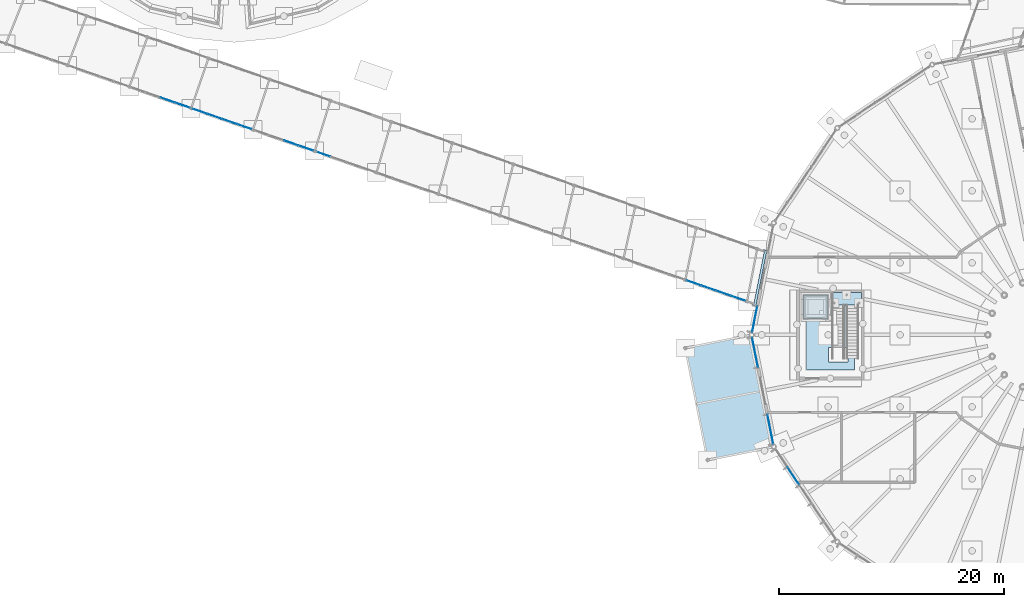
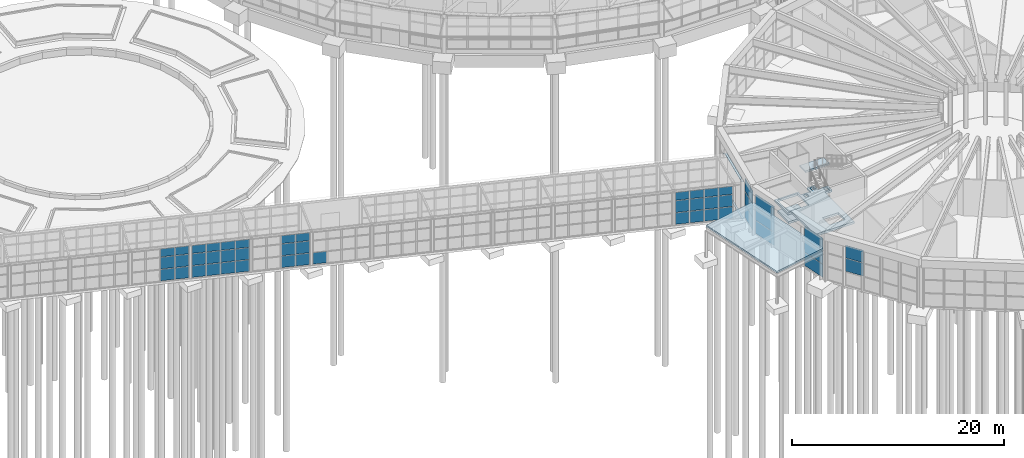
# One storey, part 123 of 226: 50 plates, 4 slabs, 10 elements without a shape of their own.
"""IFC4 building model written with IfcOpenShell, lengths in metres."""

import ifcopenshell
import ifcopenshell.guid

model = None  # the IFC model being written
_history = None  # IfcOwnerHistory: only IFC2X3 demands one
_inside = {}  # id of a spatial element -> (the spatial element, [elements in it])
_under = {}  # id of a project, library or spatial element -> (it, [spatial elements below it])
_declared = {}  # id of a project -> (the project, [libraries it declares])
_typed = {}  # id of a type object -> (the type object, [elements of that type])
_made_of = {}  # id of a material, layer set ... -> (it, [elements and type objects made of it])


def new_model(schema):
    """Start an empty IFC model of exactly this schema.

    Asked for "IFC4X3", IfcOpenShell would pick the latest addendum, in which some entities
    have other attributes; the version numbers below select the first issue.
    IFC2X3 requires an IfcOwnerHistory on every rooted entity: one is made here for all.
    """
    global model, _history
    if schema == "IFC4X3":
        model = ifcopenshell.file(schema_version=(4, 3, 0, 0))
    else:
        model = ifcopenshell.file(schema=schema)
    _inside.clear()
    _under.clear()
    _declared.clear()
    _typed.clear()
    _made_of.clear()
    _history = None
    if model.schema == "IFC2X3":
        org = make("IfcOrganization", Name="unknown")
        user = make(
            "IfcPersonAndOrganization",
            ThePerson=make("IfcPerson", FamilyName="unknown"),
            TheOrganization=org,
        )
        app = make(
            "IfcApplication",
            ApplicationDeveloper=org,
            Version="unknown",
            ApplicationFullName="unknown",
            ApplicationIdentifier="unknown",
        )
        _history = make(
            "IfcOwnerHistory",
            OwningUser=user,
            OwningApplication=app,
            ChangeAction="ADDED",
            CreationDate=0,
        )
    return model


def make(cls, **values):
    """One entity of the class cls with the attributes given. An attribute that is None is left unset."""
    return model.create_entity(
        cls, **{name: value for name, value in values.items() if value is not None}
    )


def rooted(cls, **values):
    """An entity with a GlobalId (a new one), such as an element, a storey or a relation."""
    return make(cls, GlobalId=ifcopenshell.guid.new(), OwnerHistory=_history, **values)


def si_unit(unit_type, name, prefix=None):
    """IfcSIUnit, for example si_unit("LENGTHUNIT", "METRE", prefix="MILLI")."""
    return make("IfcSIUnit", UnitType=unit_type, Prefix=prefix, Name=name)


def assignment(units):
    """IfcUnitAssignment: the units of a project."""
    return None if units is None else make("IfcUnitAssignment", Units=units)


def point(xyz):
    """IfcCartesianPoint."""
    return None if xyz is None else make("IfcCartesianPoint", Coordinates=xyz)


def direction(xyz):
    """IfcDirection."""
    return None if xyz is None else make("IfcDirection", DirectionRatios=xyz)


def frame(location, z_axis=None, x_axis=None):
    """IfcAxis2Placement3D, a coordinate frame: its origin and axes. An axis left out is left unset."""
    return make(
        "IfcAxis2Placement3D",
        Location=point(location),
        Axis=direction(z_axis),
        RefDirection=direction(x_axis),
    )


def frame_2d(location, x_axis=None):
    """IfcAxis2Placement2D, a coordinate frame in the plane: its origin and x axis."""
    return make(
        "IfcAxis2Placement2D", Location=point(location), RefDirection=direction(x_axis)
    )


def origin():
    """The frame at (0, 0, 0) with its axes left unset."""
    return frame((0.0, 0.0, 0.0))


def origin_2d():
    """The frame at (0, 0) in the plane with its x axis left unset."""
    return frame_2d((0.0, 0.0))


def place(relative_to, where):
    """IfcLocalPlacement: puts the frame where relative to a parent placement (None: the world)."""
    return make(
        "IfcLocalPlacement", PlacementRelTo=relative_to, RelativePlacement=where
    )


def context(
    kind, dimensions, precision=None, world=None, true_north=None, identifier=None
):
    """IfcGeometricRepresentationContext, for example the 3D "Model" context."""
    return make(
        "IfcGeometricRepresentationContext",
        ContextIdentifier=identifier,
        ContextType=kind,
        CoordinateSpaceDimension=dimensions,
        Precision=precision,
        WorldCoordinateSystem=world,
        TrueNorth=true_north,
    )


def subcontext(parent, identifier, kind, view, scale=None):
    """IfcGeometricRepresentationSubContext, for example "Body" below "Model"."""
    return make(
        "IfcGeometricRepresentationSubContext",
        ContextIdentifier=identifier,
        ContextType=kind,
        ParentContext=parent,
        TargetScale=scale,
        TargetView=view,
    )


def project(units=None, contexts=None):
    """IfcProject with its units and contexts."""
    return rooted(
        "IfcProject",
        Name="project",
        RepresentationContexts=contexts,
        UnitsInContext=assignment(units),
    )


def spatial(cls, under=None, at=None, **own):
    """A site, building, storey or space (cls), placed at a placement, below another one or the project."""
    s = rooted(cls, ObjectPlacement=at, **own)
    if under is not None:
        _under.setdefault(under.id(), (under, []))[1].append(s)
    return s


def polyline(points):
    """IfcPolyline through the points."""
    return make("IfcPolyline", Points=[point(p) for p in points])


def profile(cls, at=None, kind="AREA", **sizes):
    """A parametric profile (cls). Its sizes go by their IFC names, for example OverallWidth=200.0."""
    return make(cls, ProfileType=kind, Position=at, **sizes)


def rectangle(**sizes):
    """IfcRectangleProfileDef."""
    return profile("IfcRectangleProfileDef", **sizes)


def outline(outer, holes=None, kind="AREA"):
    """IfcArbitraryClosedProfileDef: a profile drawn as a closed curve; with holes, ...WithVoids."""
    if holes is None:
        return make("IfcArbitraryClosedProfileDef", ProfileType=kind, OuterCurve=outer)
    return make(
        "IfcArbitraryProfileDefWithVoids",
        ProfileType=kind,
        OuterCurve=outer,
        InnerCurves=holes,
    )


def extrude(swept, where, along, depth):
    """IfcExtrudedAreaSolid: the profile swept, set in the frame where, extruded along a direction by depth."""
    return make(
        "IfcExtrudedAreaSolid",
        SweptArea=swept,
        Position=where,
        ExtrudedDirection=direction(along),
        Depth=depth,
    )


def shape(context_of_items, identifier, shape_type, items):
    """IfcShapeRepresentation: the items that make up one representation, for example the "Body"."""
    return make(
        "IfcShapeRepresentation",
        ContextOfItems=context_of_items,
        RepresentationIdentifier=identifier,
        RepresentationType=shape_type,
        Items=items,
    )


def material(Name=None, Category=None):
    """IfcMaterial."""
    return make("IfcMaterial", Name=Name, Category=Category)


def layer(
    of_material, thickness, ventilated=None, Name=None, Category=None, Priority=None
):
    """IfcMaterialLayer: one layer of a wall or slab, of a material (None: an air gap)."""
    return make(
        "IfcMaterialLayer",
        Material=of_material,
        LayerThickness=thickness,
        IsVentilated=ventilated,
        Name=Name,
        Category=Category,
        Priority=Priority,
    )


def layer_set(layers, Name=None):
    """IfcMaterialLayerSet."""
    return make("IfcMaterialLayerSet", MaterialLayers=layers, LayerSetName=Name)


def made_of(thing, what):
    """Note that an element or type object is made of a material, layer set ...; save() writes the relation."""
    if what is not None:
        _made_of.setdefault(what.id(), (what, []))[1].append(thing)
    return thing


def type_object(cls, material=None, **own):
    """A type object (cls), such as IfcWallType, which elements share."""
    return made_of(rooted(cls, **own), material)


def element(
    cls,
    number,
    at=None,
    inside=None,
    cuts=None,
    type_object=None,
    material=None,
    context=None,
    identifier="Body",
    shape_type=None,
    held_by="IfcProductDefinitionShape",
    body=None,
    shapes=None,
    **own,
):
    """One element of the class cls, such as IfcWall. Its Tag is "e" and its number.

    at: its placement. inside: the storey or other place that contains it. cuts: it is an
    opening in that element (IfcRelVoidsElement). A single representation is given by context,
    identifier, shape_type and body (its items); several are given by shapes. held_by: the class
    of the entity that holds the representations. save() writes the other relations.
    """
    e = rooted(cls, Tag="e%d" % number, ObjectPlacement=at, **own)
    if body is not None:
        shapes = [shape(context, identifier, shape_type, body)]
    if shapes is not None:
        e.Representation = make(held_by, Representations=shapes)
    if inside is not None:
        _inside.setdefault(inside.id(), (inside, []))[1].append(e)
    if cuts is not None:
        rooted(
            "IfcRelVoidsElement", RelatingBuildingElement=cuts, RelatedOpeningElement=e
        )
    if type_object is not None:
        _typed.setdefault(type_object.id(), (type_object, []))[1].append(e)
    return made_of(e, material)


def aggregate(whole, parts):
    """IfcRelAggregates: a whole, such as a stair, and the parts it consists of."""
    return rooted("IfcRelAggregates", RelatingObject=whole, RelatedObjects=parts)


def save(model, path):
    """Write the relations noted so far, then the file.

    IfcRelAggregates (storeys below a building ...), IfcRelContainedInSpatialStructure (elements
    in a storey), IfcRelDefinesByType, IfcRelAssociatesMaterial and IfcRelDeclares: one each for
    every whole, place, type object, material and project.
    """
    for whole, parts in _under.values():
        aggregate(whole, parts)
    for where, things in _inside.values():
        rooted(
            "IfcRelContainedInSpatialStructure",
            RelatedElements=things,
            RelatingStructure=where,
        )
    for kind, things in _typed.values():
        rooted("IfcRelDefinesByType", RelatedObjects=things, RelatingType=kind)
    for what, things in _made_of.values():
        rooted("IfcRelAssociatesMaterial", RelatedObjects=things, RelatingMaterial=what)
    for by, libraries in _declared.values():
        rooted("IfcRelDeclares", RelatingContext=by, RelatedDefinitions=libraries)
    model.write(path)


model = new_model("IFC4")

# Units and contexts
model_context = context("Model", 3, precision=1e-05, world=origin(), true_north=direction((0.0, 1.0)))
body_context = subcontext(model_context, "Body", "Model", "MODEL_VIEW")
ifc_project = project(units=[si_unit("LENGTHUNIT", "METRE"), si_unit("AREAUNIT", "SQUARE_METRE"), si_unit("VOLUMEUNIT", "CUBIC_METRE"), si_unit("PLANEANGLEUNIT", "RADIAN"), si_unit("MASSUNIT", "GRAM", prefix="KILO")], contexts=[model_context])

# Site, building, storey
site_placement = place(None, origin())
site = spatial("IfcSite", under=ifc_project, at=site_placement, CompositionType="ELEMENT")
building_placement = place(site_placement, origin())
building = spatial("IfcBuilding", under=site, at=building_placement, Name="Ceibo Conservatory and Research Tower", CompositionType="ELEMENT")
storey_placement = place(building_placement, origin())
storey = spatial("IfcBuildingStorey", under=building, at=storey_placement, Name="L00", CompositionType="ELEMENT", Elevation=0.0)

# Curtain wall, plates
ifc_material_1 = material(Name="Aluminium and glass", Category="aluminium")
curtain_wall_type_1 = type_object("IfcCurtainWallType", Name="Gallery curtain wall", PredefinedType="NOTDEFINED", material=ifc_material_1)
curtain_wall_1_placement = place(storey_placement, origin())
curtain_wall_1 = element("IfcCurtainWall", 1, at=curtain_wall_1_placement, inside=storey, type_object=curtain_wall_type_1, Name="Gallery curtain wall AUD-VC-CWS05", PredefinedType="NOTDEFINED")
ifc_material_2 = material(Name="Laminated glass", Category="glass")
ifc_layer_1 = layer(ifc_material_2, 0.028076171875)
ifc_layer_set_1 = layer_set([ifc_layer_1], Name="Laminated glass")
plate_type_1 = type_object("IfcPlateType", Name="Gallery glass 28", PredefinedType="CURTAIN_PANEL", material=ifc_layer_set_1)
plate_1_placement = place(storey_placement, frame((90.105712890625, 56.866455078125, 0.06005859375), z_axis=(0.0, 0.0, 1.0), x_axis=(0.944579236191, -0.328283515513, 0.0)))
plate_1 = element("IfcPlate", 2, at=plate_1_placement, type_object=plate_type_1, Name="AUD-VC-CWS05 panel 3.1", PredefinedType="CURTAIN_PANEL", context=body_context, shape_type="SweptSolid", body=[
    extrude(rectangle(XDim=1.342529296875, YDim=0.028076171875, at=origin_2d()), origin(), (0.0, 0.0, 1.0), 1.31005859375),
])
plate_2_placement = place(storey_placement, frame((90.105712890625, 56.866455078125, 1.43017578125), z_axis=(0.0, 0.0, 1.0), x_axis=(0.944579236191, -0.328283515513, 0.0)))
plate_2 = element("IfcPlate", 3, at=plate_2_placement, type_object=plate_type_1, Name="AUD-VC-CWS05 panel 3.2", PredefinedType="CURTAIN_PANEL", context=body_context, shape_type="SweptSolid", body=[
    extrude(rectangle(XDim=1.342529296875, YDim=0.028076171875, at=origin_2d()), origin(), (0.0, 0.0, 1.0), 1.340087890625),
])
plate_3_placement = place(storey_placement, frame((90.105712890625, 56.866455078125, 2.830078125), z_axis=(0.0, 0.0, 1.0), x_axis=(0.944579236191, -0.328283515513, 0.0)))
plate_3 = element("IfcPlate", 4, at=plate_3_placement, type_object=plate_type_1, Name="AUD-VC-CWS05 panel 3.3", PredefinedType="CURTAIN_PANEL", context=body_context, shape_type="SweptSolid", body=[
    extrude(rectangle(XDim=1.342529296875, YDim=0.028076171875, at=origin_2d()), origin(), (0.0, 0.0, 1.0), 0.909912109375),
])
plate_4_placement = place(storey_placement, frame((91.41650390625, 56.410888671875, 0.06005859375), z_axis=(0.0, 0.0, 1.0), x_axis=(0.944579236191, -0.328283515513, 0.0)))
plate_4 = element("IfcPlate", 5, at=plate_4_placement, type_object=plate_type_1, Name="AUD-VC-CWS05 panel 4.1", PredefinedType="CURTAIN_PANEL", context=body_context, shape_type="SweptSolid", body=[
    extrude(rectangle(XDim=1.3125, YDim=0.028076171875, at=origin_2d()), origin(), (0.0, 0.0, 1.0), 1.31005859375),
])
plate_5_placement = place(storey_placement, frame((91.41650390625, 56.410888671875, 1.43017578125), z_axis=(0.0, 0.0, 1.0), x_axis=(0.944579236191, -0.328283515513, 0.0)))
plate_5 = element("IfcPlate", 6, at=plate_5_placement, type_object=plate_type_1, Name="AUD-VC-CWS05 panel 4.2", PredefinedType="CURTAIN_PANEL", context=body_context, shape_type="SweptSolid", body=[
    extrude(rectangle(XDim=1.3125, YDim=0.028076171875, at=origin_2d()), origin(), (0.0, 0.0, 1.0), 1.340087890625),
])
plate_6_placement = place(storey_placement, frame((91.41650390625, 56.410888671875, 2.830078125), z_axis=(0.0, 0.0, 1.0), x_axis=(0.944579236191, -0.328283515513, 0.0)))
plate_6 = element("IfcPlate", 7, at=plate_6_placement, type_object=plate_type_1, Name="AUD-VC-CWS05 panel 4.3", PredefinedType="CURTAIN_PANEL", context=body_context, shape_type="SweptSolid", body=[
    extrude(rectangle(XDim=1.3125, YDim=0.028076171875, at=origin_2d()), origin(), (0.0, 0.0, 1.0), 0.909912109375),
])
aggregate(curtain_wall_1, [plate_1, plate_2, plate_3, plate_4, plate_5, plate_6])

curtain_wall_2_placement = place(storey_placement, origin())
curtain_wall_2 = element("IfcCurtainWall", 8, at=curtain_wall_2_placement, inside=storey, type_object=curtain_wall_type_1, Name="Gallery curtain wall AUD-VC-CWS06", PredefinedType="NOTDEFINED")
plate_7_placement = place(storey_placement, frame((92.95849609375, 55.875, 0.06005859375), z_axis=(0.0, 0.0, 1.0), x_axis=(0.944579236191, -0.328283515513, 0.0)))
plate_7 = element("IfcPlate", 9, at=plate_7_placement, type_object=plate_type_1, Name="AUD-VC-CWS06 panel 1.1", PredefinedType="CURTAIN_PANEL", context=body_context, shape_type="SweptSolid", body=[
    extrude(rectangle(XDim=1.3125, YDim=0.028076171875, at=origin_2d()), origin(), (0.0, 0.0, 1.0), 1.31005859375),
])
plate_8_placement = place(storey_placement, frame((92.95849609375, 55.875, 1.43017578125), z_axis=(0.0, 0.0, 1.0), x_axis=(0.944579236191, -0.328283515513, 0.0)))
plate_8 = element("IfcPlate", 10, at=plate_8_placement, type_object=plate_type_1, Name="AUD-VC-CWS06 panel 1.2", PredefinedType="CURTAIN_PANEL", context=body_context, shape_type="SweptSolid", body=[
    extrude(rectangle(XDim=1.3125, YDim=0.028076171875, at=origin_2d()), origin(), (0.0, 0.0, 1.0), 1.340087890625),
])
plate_9_placement = place(storey_placement, frame((92.95849609375, 55.875, 2.830078125), z_axis=(0.0, 0.0, 1.0), x_axis=(0.944579236191, -0.328283515513, 0.0)))
plate_9 = element("IfcPlate", 11, at=plate_9_placement, type_object=plate_type_1, Name="AUD-VC-CWS06 panel 1.3", PredefinedType="CURTAIN_PANEL", context=body_context, shape_type="SweptSolid", body=[
    extrude(rectangle(XDim=1.3125, YDim=0.028076171875, at=origin_2d()), origin(), (0.0, 0.0, 1.0), 0.909912109375),
])
plate_10_placement = place(storey_placement, frame((94.269287109375, 55.41943359375, 0.06005859375), z_axis=(0.0, 0.0, 1.0), x_axis=(0.944579236191, -0.328283515513, 0.0)))
plate_10 = element("IfcPlate", 12, at=plate_10_placement, type_object=plate_type_1, Name="AUD-VC-CWS06 panel 2.1", PredefinedType="CURTAIN_PANEL", context=body_context, shape_type="SweptSolid", body=[
    extrude(rectangle(XDim=1.342529296875, YDim=0.028076171875, at=origin_2d()), origin(), (0.0, 0.0, 1.0), 1.31005859375),
])
plate_11_placement = place(storey_placement, frame((94.269287109375, 55.41943359375, 1.43017578125), z_axis=(0.0, 0.0, 1.0), x_axis=(0.944579236191, -0.328283515513, 0.0)))
plate_11 = element("IfcPlate", 13, at=plate_11_placement, type_object=plate_type_1, Name="AUD-VC-CWS06 panel 2.2", PredefinedType="CURTAIN_PANEL", context=body_context, shape_type="SweptSolid", body=[
    extrude(rectangle(XDim=1.342529296875, YDim=0.028076171875, at=origin_2d()), origin(), (0.0, 0.0, 1.0), 1.340087890625),
])
plate_12_placement = place(storey_placement, frame((94.269287109375, 55.41943359375, 2.830078125), z_axis=(0.0, 0.0, 1.0), x_axis=(0.944579236191, -0.328283515513, 0.0)))
plate_12 = element("IfcPlate", 14, at=plate_12_placement, type_object=plate_type_1, Name="AUD-VC-CWS06 panel 2.3", PredefinedType="CURTAIN_PANEL", context=body_context, shape_type="SweptSolid", body=[
    extrude(rectangle(XDim=1.342529296875, YDim=0.028076171875, at=origin_2d()), origin(), (0.0, 0.0, 1.0), 0.909912109375),
])
plate_13_placement = place(storey_placement, frame((95.593994140625, 54.958984375, 0.06005859375), z_axis=(0.0, 0.0, 1.0), x_axis=(0.944579236191, -0.328283515513, 0.0)))
plate_13 = element("IfcPlate", 15, at=plate_13_placement, type_object=plate_type_1, Name="AUD-VC-CWS06 panel 3.1", PredefinedType="CURTAIN_PANEL", context=body_context, shape_type="SweptSolid", body=[
    extrude(rectangle(XDim=1.342529296875, YDim=0.028076171875, at=origin_2d()), origin(), (0.0, 0.0, 1.0), 1.31005859375),
])
plate_14_placement = place(storey_placement, frame((95.593994140625, 54.958984375, 1.43017578125), z_axis=(0.0, 0.0, 1.0), x_axis=(0.944579236191, -0.328283515513, 0.0)))
plate_14 = element("IfcPlate", 16, at=plate_14_placement, type_object=plate_type_1, Name="AUD-VC-CWS06 panel 3.2", PredefinedType="CURTAIN_PANEL", context=body_context, shape_type="SweptSolid", body=[
    extrude(rectangle(XDim=1.342529296875, YDim=0.028076171875, at=origin_2d()), origin(), (0.0, 0.0, 1.0), 1.340087890625),
])
plate_15_placement = place(storey_placement, frame((95.593994140625, 54.958984375, 2.830078125), z_axis=(0.0, 0.0, 1.0), x_axis=(0.944579236191, -0.328283515513, 0.0)))
plate_15 = element("IfcPlate", 17, at=plate_15_placement, type_object=plate_type_1, Name="AUD-VC-CWS06 panel 3.3", PredefinedType="CURTAIN_PANEL", context=body_context, shape_type="SweptSolid", body=[
    extrude(rectangle(XDim=1.342529296875, YDim=0.028076171875, at=origin_2d()), origin(), (0.0, 0.0, 1.0), 0.909912109375),
])
plate_16_placement = place(storey_placement, frame((96.90478515625, 54.503662109375, 0.06005859375), z_axis=(0.0, 0.0, 1.0), x_axis=(0.944579236191, -0.328283515513, 0.0)))
plate_16 = element("IfcPlate", 18, at=plate_16_placement, type_object=plate_type_1, Name="AUD-VC-CWS06 panel 4.1", PredefinedType="CURTAIN_PANEL", context=body_context, shape_type="SweptSolid", body=[
    extrude(rectangle(XDim=1.3125, YDim=0.028076171875, at=origin_2d()), origin(), (0.0, 0.0, 1.0), 1.31005859375),
])
plate_17_placement = place(storey_placement, frame((96.90478515625, 54.503662109375, 1.43017578125), z_axis=(0.0, 0.0, 1.0), x_axis=(0.944579236191, -0.328283515513, 0.0)))
plate_17 = element("IfcPlate", 19, at=plate_17_placement, type_object=plate_type_1, Name="AUD-VC-CWS06 panel 4.2", PredefinedType="CURTAIN_PANEL", context=body_context, shape_type="SweptSolid", body=[
    extrude(rectangle(XDim=1.3125, YDim=0.028076171875, at=origin_2d()), origin(), (0.0, 0.0, 1.0), 1.340087890625),
])
plate_18_placement = place(storey_placement, frame((96.90478515625, 54.503662109375, 2.830078125), z_axis=(0.0, 0.0, 1.0), x_axis=(0.944579236191, -0.328283515513, 0.0)))
plate_18 = element("IfcPlate", 20, at=plate_18_placement, type_object=plate_type_1, Name="AUD-VC-CWS06 panel 4.3", PredefinedType="CURTAIN_PANEL", context=body_context, shape_type="SweptSolid", body=[
    extrude(rectangle(XDim=1.3125, YDim=0.028076171875, at=origin_2d()), origin(), (0.0, 0.0, 1.0), 0.909912109375),
])
aggregate(curtain_wall_2, [plate_7, plate_8, plate_9, plate_10, plate_11, plate_12, plate_13, plate_14, plate_15, plate_16, plate_17, plate_18])

curtain_wall_3_placement = place(storey_placement, origin())
curtain_wall_3 = element("IfcCurtainWall", 21, at=curtain_wall_3_placement, inside=storey, type_object=curtain_wall_type_1, Name="Gallery curtain wall AUD-VC-CWS07", PredefinedType="NOTDEFINED")
plate_19_placement = place(storey_placement, frame((101.082275390625, 53.0517578125, 0.06005859375), z_axis=(0.0, 0.0, 1.0), x_axis=(0.944579236191, -0.328283515513, 0.0)))
plate_19 = element("IfcPlate", 22, at=plate_19_placement, type_object=plate_type_1, Name="AUD-VC-CWS07 panel 3.1", PredefinedType="CURTAIN_PANEL", context=body_context, shape_type="SweptSolid", body=[
    extrude(rectangle(XDim=1.342529296875, YDim=0.028076171875, at=origin_2d()), origin(), (0.0, 0.0, 1.0), 1.31005859375),
])
plate_20_placement = place(storey_placement, frame((101.082275390625, 53.0517578125, 1.43017578125), z_axis=(0.0, 0.0, 1.0), x_axis=(0.944579236191, -0.328283515513, 0.0)))
plate_20 = element("IfcPlate", 23, at=plate_20_placement, type_object=plate_type_1, Name="AUD-VC-CWS07 panel 3.2", PredefinedType="CURTAIN_PANEL", context=body_context, shape_type="SweptSolid", body=[
    extrude(rectangle(XDim=1.342529296875, YDim=0.028076171875, at=origin_2d()), origin(), (0.0, 0.0, 1.0), 1.340087890625),
])
plate_21_placement = place(storey_placement, frame((101.082275390625, 53.0517578125, 2.830078125), z_axis=(0.0, 0.0, 1.0), x_axis=(0.944579236191, -0.328283515513, 0.0)))
plate_21 = element("IfcPlate", 24, at=plate_21_placement, type_object=plate_type_1, Name="AUD-VC-CWS07 panel 3.3", PredefinedType="CURTAIN_PANEL", context=body_context, shape_type="SweptSolid", body=[
    extrude(rectangle(XDim=1.342529296875, YDim=0.028076171875, at=origin_2d()), origin(), (0.0, 0.0, 1.0), 0.909912109375),
])
plate_22_placement = place(storey_placement, frame((102.39306640625, 52.59619140625, 0.06005859375), z_axis=(0.0, 0.0, 1.0), x_axis=(0.944579236191, -0.328283515513, 0.0)))
plate_22 = element("IfcPlate", 25, at=plate_22_placement, type_object=plate_type_1, Name="AUD-VC-CWS07 panel 4.1", PredefinedType="CURTAIN_PANEL", context=body_context, shape_type="SweptSolid", body=[
    extrude(rectangle(XDim=1.3125, YDim=0.028076171875, at=origin_2d()), origin(), (0.0, 0.0, 1.0), 1.31005859375),
])
plate_23_placement = place(storey_placement, frame((102.39306640625, 52.59619140625, 1.43017578125), z_axis=(0.0, 0.0, 1.0), x_axis=(0.944579236191, -0.328283515513, 0.0)))
plate_23 = element("IfcPlate", 26, at=plate_23_placement, type_object=plate_type_1, Name="AUD-VC-CWS07 panel 4.2", PredefinedType="CURTAIN_PANEL", context=body_context, shape_type="SweptSolid", body=[
    extrude(rectangle(XDim=1.3125, YDim=0.028076171875, at=origin_2d()), origin(), (0.0, 0.0, 1.0), 1.340087890625),
])
plate_24_placement = place(storey_placement, frame((102.39306640625, 52.59619140625, 2.830078125), z_axis=(0.0, 0.0, 1.0), x_axis=(0.944579236191, -0.328283515513, 0.0)))
plate_24 = element("IfcPlate", 27, at=plate_24_placement, type_object=plate_type_1, Name="AUD-VC-CWS07 panel 4.3", PredefinedType="CURTAIN_PANEL", context=body_context, shape_type="SweptSolid", body=[
    extrude(rectangle(XDim=1.3125, YDim=0.028076171875, at=origin_2d()), origin(), (0.0, 0.0, 1.0), 0.909912109375),
])
aggregate(curtain_wall_3, [plate_19, plate_20, plate_21, plate_22, plate_23, plate_24])

# Curtain wall, plate
curtain_wall_4_placement = place(storey_placement, origin())
curtain_wall_4 = element("IfcCurtainWall", 28, at=curtain_wall_4_placement, inside=storey, type_object=curtain_wall_type_1, Name="Gallery curtain wall AUD-VC-CWS08", PredefinedType="NOTDEFINED")
plate_25_placement = place(storey_placement, frame((103.93505859375, 52.06005859375, 0.06005859375), z_axis=(0.0, 0.0, 1.0), x_axis=(0.944579236191, -0.328283515513, 0.0)))
plate_25 = element("IfcPlate", 29, at=plate_25_placement, type_object=plate_type_1, Name="AUD-VC-CWS08 panel 1.1", PredefinedType="CURTAIN_PANEL", context=body_context, shape_type="SweptSolid", body=[
    extrude(rectangle(XDim=1.3125, YDim=0.028076171875, at=origin_2d()), origin(), (0.0, 0.0, 1.0), 1.31005859375),
])
aggregate(curtain_wall_4, [plate_25])

# Curtain wall, plates
curtain_wall_5_placement = place(storey_placement, origin())
curtain_wall_5 = element("IfcCurtainWall", 30, at=curtain_wall_5_placement, inside=storey, type_object=curtain_wall_type_1, Name="Gallery curtain wall AUD-VC-CWS14", PredefinedType="NOTDEFINED")
plate_26_placement = place(storey_placement, frame((136.864990234375, 40.61572265625, 0.06005859375), z_axis=(0.0, 0.0, 1.0), x_axis=(0.944579236191, -0.328283515513, 0.0)))
plate_26 = element("IfcPlate", 31, at=plate_26_placement, type_object=plate_type_1, Name="AUD-VC-CWS14 panel 1.1", PredefinedType="CURTAIN_PANEL", context=body_context, shape_type="SweptSolid", body=[
    extrude(rectangle(XDim=1.3125, YDim=0.028076171875, at=origin_2d()), origin(), (0.0, 0.0, 1.0), 1.31005859375),
])
plate_27_placement = place(storey_placement, frame((136.864990234375, 40.61572265625, 1.43017578125), z_axis=(0.0, 0.0, 1.0), x_axis=(0.944579236191, -0.328283515513, 0.0)))
plate_27 = element("IfcPlate", 32, at=plate_27_placement, type_object=plate_type_1, Name="AUD-VC-CWS14 panel 1.2", PredefinedType="CURTAIN_PANEL", context=body_context, shape_type="SweptSolid", body=[
    extrude(rectangle(XDim=1.3125, YDim=0.028076171875, at=origin_2d()), origin(), (0.0, 0.0, 1.0), 1.340087890625),
])
plate_28_placement = place(storey_placement, frame((136.864990234375, 40.61572265625, 2.830078125), z_axis=(0.0, 0.0, 1.0), x_axis=(0.944579236191, -0.328283515513, 0.0)))
plate_28 = element("IfcPlate", 33, at=plate_28_placement, type_object=plate_type_1, Name="AUD-VC-CWS14 panel 1.3", PredefinedType="CURTAIN_PANEL", context=body_context, shape_type="SweptSolid", body=[
    extrude(rectangle(XDim=1.3125, YDim=0.028076171875, at=origin_2d()), origin(), (0.0, 0.0, 1.0), 0.909912109375),
])
plate_29_placement = place(storey_placement, frame((138.175537109375, 40.16015625, 0.06005859375), z_axis=(0.0, 0.0, 1.0), x_axis=(0.944579236191, -0.328283515513, 0.0)))
plate_29 = element("IfcPlate", 34, at=plate_29_placement, type_object=plate_type_1, Name="AUD-VC-CWS14 panel 2.1", PredefinedType="CURTAIN_PANEL", context=body_context, shape_type="SweptSolid", body=[
    extrude(rectangle(XDim=1.342529296875, YDim=0.028076171875, at=origin_2d()), origin(), (0.0, 0.0, 1.0), 1.31005859375),
])
plate_30_placement = place(storey_placement, frame((138.175537109375, 40.16015625, 1.43017578125), z_axis=(0.0, 0.0, 1.0), x_axis=(0.944579236191, -0.328283515513, 0.0)))
plate_30 = element("IfcPlate", 35, at=plate_30_placement, type_object=plate_type_1, Name="AUD-VC-CWS14 panel 2.2", PredefinedType="CURTAIN_PANEL", context=body_context, shape_type="SweptSolid", body=[
    extrude(rectangle(XDim=1.342529296875, YDim=0.028076171875, at=origin_2d()), origin(), (0.0, 0.0, 1.0), 1.340087890625),
])
plate_31_placement = place(storey_placement, frame((138.175537109375, 40.16015625, 2.830078125), z_axis=(0.0, 0.0, 1.0), x_axis=(0.944579236191, -0.328283515513, 0.0)))
plate_31 = element("IfcPlate", 36, at=plate_31_placement, type_object=plate_type_1, Name="AUD-VC-CWS14 panel 2.3", PredefinedType="CURTAIN_PANEL", context=body_context, shape_type="SweptSolid", body=[
    extrude(rectangle(XDim=1.342529296875, YDim=0.028076171875, at=origin_2d()), origin(), (0.0, 0.0, 1.0), 0.909912109375),
])
plate_32_placement = place(storey_placement, frame((139.50048828125, 39.69970703125, 0.06005859375), z_axis=(0.0, 0.0, 1.0), x_axis=(0.944579236191, -0.328283515513, 0.0)))
plate_32 = element("IfcPlate", 37, at=plate_32_placement, type_object=plate_type_1, Name="AUD-VC-CWS14 panel 3.1", PredefinedType="CURTAIN_PANEL", context=body_context, shape_type="SweptSolid", body=[
    extrude(rectangle(XDim=1.342529296875, YDim=0.028076171875, at=origin_2d()), origin(), (0.0, 0.0, 1.0), 1.31005859375),
])
plate_33_placement = place(storey_placement, frame((139.50048828125, 39.69970703125, 1.43017578125), z_axis=(0.0, 0.0, 1.0), x_axis=(0.944579236191, -0.328283515513, 0.0)))
plate_33 = element("IfcPlate", 38, at=plate_33_placement, type_object=plate_type_1, Name="AUD-VC-CWS14 panel 3.2", PredefinedType="CURTAIN_PANEL", context=body_context, shape_type="SweptSolid", body=[
    extrude(rectangle(XDim=1.342529296875, YDim=0.028076171875, at=origin_2d()), origin(), (0.0, 0.0, 1.0), 1.340087890625),
])
plate_34_placement = place(storey_placement, frame((139.50048828125, 39.69970703125, 2.830078125), z_axis=(0.0, 0.0, 1.0), x_axis=(0.944579236191, -0.328283515513, 0.0)))
plate_34 = element("IfcPlate", 39, at=plate_34_placement, type_object=plate_type_1, Name="AUD-VC-CWS14 panel 3.3", PredefinedType="CURTAIN_PANEL", context=body_context, shape_type="SweptSolid", body=[
    extrude(rectangle(XDim=1.342529296875, YDim=0.028076171875, at=origin_2d()), origin(), (0.0, 0.0, 1.0), 0.909912109375),
])
plate_35_placement = place(storey_placement, frame((140.81103515625, 39.244140625, 0.06005859375), z_axis=(0.0, 0.0, 1.0), x_axis=(0.944579236191, -0.328283515513, 0.0)))
plate_35 = element("IfcPlate", 40, at=plate_35_placement, type_object=plate_type_1, Name="AUD-VC-CWS14 panel 4.1", PredefinedType="CURTAIN_PANEL", context=body_context, shape_type="SweptSolid", body=[
    extrude(rectangle(XDim=1.3125, YDim=0.028076171875, at=origin_2d()), origin(), (0.0, 0.0, 1.0), 1.31005859375),
])
plate_36_placement = place(storey_placement, frame((140.81103515625, 39.244140625, 1.43017578125), z_axis=(0.0, 0.0, 1.0), x_axis=(0.944579236191, -0.328283515513, 0.0)))
plate_36 = element("IfcPlate", 41, at=plate_36_placement, type_object=plate_type_1, Name="AUD-VC-CWS14 panel 4.2", PredefinedType="CURTAIN_PANEL", context=body_context, shape_type="SweptSolid", body=[
    extrude(rectangle(XDim=1.3125, YDim=0.028076171875, at=origin_2d()), origin(), (0.0, 0.0, 1.0), 1.340087890625),
])
plate_37_placement = place(storey_placement, frame((140.81103515625, 39.244140625, 2.830078125), z_axis=(0.0, 0.0, 1.0), x_axis=(0.944579236191, -0.328283515513, 0.0)))
plate_37 = element("IfcPlate", 42, at=plate_37_placement, type_object=plate_type_1, Name="AUD-VC-CWS14 panel 4.3", PredefinedType="CURTAIN_PANEL", context=body_context, shape_type="SweptSolid", body=[
    extrude(rectangle(XDim=1.3125, YDim=0.028076171875, at=origin_2d()), origin(), (0.0, 0.0, 1.0), 0.909912109375),
])
aggregate(curtain_wall_5, [plate_26, plate_27, plate_28, plate_29, plate_30, plate_31, plate_32, plate_33, plate_34, plate_35, plate_36, plate_37])

# Plates
ifc_material_3 = material(Name="Stainless steel AISI 316", Category="steel")
ifc_layer_2 = layer(ifc_material_3, 0.010009765625)
ifc_layer_set_2 = layer_set([ifc_layer_2], Name="Stainless steel AISI 316")
plate_type_2 = type_object("IfcPlateType", Name="Movement joint floor cover plate 10", PredefinedType="SHEET", material=ifc_layer_set_2)
plate_38_placement = place(storey_placement, origin())
element("IfcPlate", 43, at=plate_38_placement, inside=storey, type_object=plate_type_2, Name="Movement joint cover floor AUD-VC-JF02", PredefinedType="SHEET", context=body_context, shape_type="SweptSolid", body=[
    extrude(outline(polyline([(142.3779296875, 38.540771484375), (142.07275390625, 38.646728515625), (142.096435546875, 38.765625), (142.19189453125, 38.732421875), (143.12939453125, 43.44580078125), (143.033935546875, 43.47900390625), (143.0576171875, 43.597900390625), (143.36279296875, 43.491943359375), (142.3779296875, 38.540771484375)])), origin(), (0.0, 0.0, 1.0), 0.010009765625),
])
ifc_layer_3 = layer(ifc_material_3, 0.010009765625)
ifc_layer_set_3 = layer_set([ifc_layer_3], Name="Stainless steel AISI 316")
plate_type_3 = type_object("IfcPlateType", Name="Movement joint roof cover plate 10", PredefinedType="SHEET", material=ifc_layer_set_3)
plate_39_placement = place(storey_placement, frame((0.0, 0.0, 4.199951171875)))
element("IfcPlate", 44, at=plate_39_placement, inside=storey, type_object=plate_type_3, Name="Movement joint cover roof AUD-VC-JR02", PredefinedType="SHEET", context=body_context, shape_type="SweptSolid", body=[
    extrude(outline(polyline([(142.3779296875, 38.540771484375), (142.07275390625, 38.646728515625), (142.096435546875, 38.765625), (142.19189453125, 38.732421875), (143.12939453125, 43.44580078125), (143.033935546875, 43.47900390625), (143.0576171875, 43.597900390625), (143.36279296875, 43.491943359375), (142.3779296875, 38.540771484375)])), origin(), (0.0, 0.0, 1.0), 0.010009765625),
])

# Curtain wall, plates
curtain_wall_type_2 = type_object("IfcCurtainWallType", Name="Pavilion curtain wall", PredefinedType="NOTDEFINED", material=ifc_material_1)
curtain_wall_6_placement = place(storey_placement, origin())
curtain_wall_6 = element("IfcCurtainWall", 45, at=curtain_wall_6_placement, inside=storey, type_object=curtain_wall_type_2, Name="Pavilion curtain wall VC-CW08E", PredefinedType="NOTDEFINED")
ifc_layer_4 = layer(ifc_material_2, 0.028076171875)
ifc_layer_set_4 = layer_set([ifc_layer_4], Name="Laminated glass")
plate_type_4 = type_object("IfcPlateType", Name="Pavilion glass 28", PredefinedType="CURTAIN_PANEL", material=ifc_layer_set_4)
plate_40_placement = place(storey_placement, frame((142.2783203125, 37.39892578125, 0.06005859375), z_axis=(0.0, 0.0, 1.0), x_axis=(-0.195090311899, -0.980785282416, 0.0)))
plate_40 = element("IfcPlate", 46, at=plate_40_placement, type_object=plate_type_4, Name="VC-CW08E panel 1.1", PredefinedType="CURTAIN_PANEL", context=body_context, shape_type="SweptSolid", body=[
    extrude(rectangle(XDim=2.326171875, YDim=0.028076171875, at=origin_2d()), origin(), (0.0, 0.0, 1.0), 1.490966796875),
])
plate_41_placement = place(storey_placement, frame((142.2783203125, 37.39892578125, 1.61083984375), z_axis=(0.0, 0.0, 1.0), x_axis=(-0.195090311899, -0.980785282416, 0.0)))
plate_41 = element("IfcPlate", 47, at=plate_41_placement, type_object=plate_type_4, Name="VC-CW08E panel 1.2", PredefinedType="CURTAIN_PANEL", context=body_context, shape_type="SweptSolid", body=[
    extrude(rectangle(XDim=2.326171875, YDim=0.028076171875, at=origin_2d()), origin(), (0.0, 0.0, 1.0), 1.47412109375),
])
plate_42_placement = place(storey_placement, frame((142.2783203125, 37.39892578125, 3.14501953125), z_axis=(0.0, 0.0, 1.0), x_axis=(-0.195090311899, -0.980785282416, 0.0)))
plate_42 = element("IfcPlate", 48, at=plate_42_placement, type_object=plate_type_4, Name="VC-CW08E panel 1.3", PredefinedType="CURTAIN_PANEL", context=body_context, shape_type="SweptSolid", body=[
    extrude(rectangle(XDim=2.326171875, YDim=0.028076171875, at=origin_2d()), origin(), (0.0, 0.0, 1.0), 1.444091796875),
])
aggregate(curtain_wall_6, [plate_40, plate_41, plate_42])

curtain_wall_7_placement = place(storey_placement, origin())
curtain_wall_7 = element("IfcCurtainWall", 49, at=curtain_wall_7_placement, inside=storey, type_object=curtain_wall_type_2, Name="Pavilion curtain wall VC-CW09W", PredefinedType="NOTDEFINED")
plate_43_placement = place(storey_placement, frame((142.309814453125, 34.442626953125, 0.06005859375), z_axis=(0.0, 0.0, 1.0), x_axis=(0.195090311899, -0.980785282416, 0.0)))
plate_43 = element("IfcPlate", 50, at=plate_43_placement, type_object=plate_type_4, Name="VC-CW09W panel 1.1", PredefinedType="CURTAIN_PANEL", context=body_context, shape_type="SweptSolid", body=[
    extrude(rectangle(XDim=2.649169921875, YDim=0.028076171875, at=origin_2d()), origin(), (0.0, 0.0, 1.0), 1.490966796875),
])
plate_44_placement = place(storey_placement, frame((142.309814453125, 34.442626953125, 1.61083984375), z_axis=(0.0, 0.0, 1.0), x_axis=(0.195090311899, -0.980785282416, 0.0)))
plate_44 = element("IfcPlate", 51, at=plate_44_placement, type_object=plate_type_4, Name="VC-CW09W panel 1.2", PredefinedType="CURTAIN_PANEL", context=body_context, shape_type="SweptSolid", body=[
    extrude(rectangle(XDim=2.649169921875, YDim=0.028076171875, at=origin_2d()), origin(), (0.0, 0.0, 1.0), 1.47412109375),
])
plate_45_placement = place(storey_placement, frame((142.309814453125, 34.442626953125, 3.14501953125), z_axis=(0.0, 0.0, 1.0), x_axis=(0.195090311899, -0.980785282416, 0.0)))
plate_45 = element("IfcPlate", 52, at=plate_45_placement, type_object=plate_type_4, Name="VC-CW09W panel 1.3", PredefinedType="CURTAIN_PANEL", context=body_context, shape_type="SweptSolid", body=[
    extrude(rectangle(XDim=2.649169921875, YDim=0.028076171875, at=origin_2d()), origin(), (0.0, 0.0, 1.0), 1.444091796875),
])
aggregate(curtain_wall_7, [plate_43, plate_44, plate_45])

curtain_wall_8_placement = place(storey_placement, origin())
curtain_wall_8 = element("IfcCurtainWall", 53, at=curtain_wall_8_placement, inside=storey, type_object=curtain_wall_type_2, Name="Pavilion curtain wall VC-CW09E", PredefinedType="NOTDEFINED")
plate_46_placement = place(storey_placement, frame((143.66943359375, 27.607421875, 0.06005859375), z_axis=(0.0, 0.0, 1.0), x_axis=(0.195090311899, -0.980785282416, 0.0)))
plate_46 = element("IfcPlate", 54, at=plate_46_placement, type_object=plate_type_4, Name="VC-CW09E panel 1.1", PredefinedType="CURTAIN_PANEL", context=body_context, shape_type="SweptSolid", body=[
    extrude(rectangle(XDim=2.649169921875, YDim=0.028076171875, at=origin_2d()), origin(), (0.0, 0.0, 1.0), 1.490966796875),
])
plate_47_placement = place(storey_placement, frame((143.66943359375, 27.607421875, 1.61083984375), z_axis=(0.0, 0.0, 1.0), x_axis=(0.195090311899, -0.980785282416, 0.0)))
plate_47 = element("IfcPlate", 55, at=plate_47_placement, type_object=plate_type_4, Name="VC-CW09E panel 1.2", PredefinedType="CURTAIN_PANEL", context=body_context, shape_type="SweptSolid", body=[
    extrude(rectangle(XDim=2.649169921875, YDim=0.028076171875, at=origin_2d()), origin(), (0.0, 0.0, 1.0), 1.47412109375),
])
plate_48_placement = place(storey_placement, frame((143.66943359375, 27.607421875, 3.14501953125), z_axis=(0.0, 0.0, 1.0), x_axis=(0.195090311899, -0.980785282416, 0.0)))
plate_48 = element("IfcPlate", 56, at=plate_48_placement, type_object=plate_type_4, Name="VC-CW09E panel 1.3", PredefinedType="CURTAIN_PANEL", context=body_context, shape_type="SweptSolid", body=[
    extrude(rectangle(XDim=2.649169921875, YDim=0.028076171875, at=origin_2d()), origin(), (0.0, 0.0, 1.0), 1.444091796875),
])
aggregate(curtain_wall_8, [plate_46, plate_47, plate_48])

curtain_wall_9_placement = place(storey_placement, origin())
curtain_wall_9 = element("IfcCurtainWall", 57, at=curtain_wall_9_placement, inside=storey, type_object=curtain_wall_type_2, Name="Pavilion curtain wall VC-CW10", PredefinedType="NOTDEFINED")
plate_49_placement = place(storey_placement, frame((145.715087890625, 23.4521484375, 1.61083984375), z_axis=(0.0, 0.0, 1.0), x_axis=(0.555570267906, -0.831469588992, 0.0)))
plate_49 = element("IfcPlate", 58, at=plate_49_placement, type_object=plate_type_4, Name="VC-CW10 panel 2.2", PredefinedType="CURTAIN_PANEL", context=body_context, shape_type="SweptSolid", body=[
    extrude(rectangle(XDim=1.8876953125, YDim=0.028076171875, at=origin_2d()), origin(), (0.0, 0.0, 1.0), 1.47412109375),
])
plate_50_placement = place(storey_placement, frame((145.715087890625, 23.4521484375, 3.14501953125), z_axis=(0.0, 0.0, 1.0), x_axis=(0.555570267906, -0.831469588992, 0.0)))
plate_50 = element("IfcPlate", 59, at=plate_50_placement, type_object=plate_type_4, Name="VC-CW10 panel 2.3", PredefinedType="CURTAIN_PANEL", context=body_context, shape_type="SweptSolid", body=[
    extrude(rectangle(XDim=1.8876953125, YDim=0.028076171875, at=origin_2d()), origin(), (0.0, 0.0, 1.0), 1.444091796875),
])
aggregate(curtain_wall_9, [plate_49, plate_50])

# Stair, slab
ifc_material_4 = material(Name="Concrete C35/45", Category="concrete")
stair_type = type_object("IfcStairType", Name="Pavilion stair 1100", PredefinedType="STRAIGHT_RUN_STAIR", material=ifc_material_4)
stair_placement = place(storey_placement, origin())
stair = element("IfcStair", 60, at=stair_placement, inside=storey, type_object=stair_type, Name="Visitor centre terrace stair", PredefinedType="STRAIGHT_RUN_STAIR")
ifc_layer_5 = layer(ifc_material_4, 0.199951171875)
ifc_layer_set_5 = layer_set([ifc_layer_5], Name="Concrete C35/45")
slab_type_1 = type_object("IfcSlabType", Name="Pavilion stair landing 200", PredefinedType="LANDING", material=ifc_layer_set_5)
slab_1_placement = place(storey_placement, frame((0.0, 0.0, 2.800048828125)))
slab_1 = element("IfcSlab", 61, at=slab_1_placement, type_object=slab_type_1, Name="VC-ST1 landing 1", PredefinedType="LANDING", context=body_context, shape_type="SweptSolid", body=[
    extrude(outline(polyline([(149.14990234375, 38.639892578125), (151.75, 38.639892578125), (151.75, 39.75), (149.14990234375, 39.75), (149.14990234375, 38.639892578125)])), origin(), (0.0, 0.0, 1.0), 0.199951171875),
])
aggregate(stair, [slab_1])

# Slabs
ifc_layer_6 = layer(ifc_material_4, 0.25)
ifc_layer_set_6 = layer_set([ifc_layer_6], Name="Concrete C35/45")
slab_type_2 = type_object("IfcSlabType", Name="RC floor slab 250 on piles", PredefinedType="BASESLAB", material=ifc_layer_set_6)
slab_2_placement = place(storey_placement, frame((0.0, 0.0, -0.25)))
element("IfcSlab", 62, at=slab_2_placement, inside=storey, type_object=slab_type_2, Name="Visitor centre core floor slab", PredefinedType="BASESLAB", context=body_context, shape_type="SweptSolid", body=[
    extrude(outline(polyline([(151.139892578125, 32.860107421875), (146.860107421875, 32.860107421875), (146.860107421875, 37.2099609375), (146.409912109375, 37.2099609375), (146.409912109375, 39.139892578125), (146.409912109375, 39.739990234375), (146.860107421875, 39.739990234375), (148.989990234375, 39.739990234375), (148.989990234375, 39.22998046875), (149.739990234375, 39.22998046875), (149.739990234375, 39.139892578125), (150.06005859375, 39.139892578125), (150.06005859375, 39.93994140625), (150.840087890625, 39.93994140625), (150.840087890625, 39.139892578125), (151.159912109375, 39.139892578125), (151.159912109375, 39.22998046875), (151.760009765625, 39.22998046875), (151.93994140625, 39.22998046875), (151.93994140625, 38.449951171875), (151.139892578125, 38.449951171875), (151.139892578125, 32.860107421875)]), holes=[polyline([(148.840087890625, 34.889892578125), (148.840087890625, 33.56982421875), (150.56005859375, 33.56982421875), (150.56005859375, 34.889892578125), (148.840087890625, 34.889892578125)]), polyline([(148.81005859375, 39.56005859375), (146.590087890625, 39.56005859375), (146.590087890625, 37.389892578125), (148.81005859375, 37.389892578125), (148.81005859375, 39.56005859375)]), polyline([(149.139892578125, 39.050048828125), (149.139892578125, 38.6298828125), (149.56005859375, 38.6298828125), (149.56005859375, 39.050048828125), (149.139892578125, 39.050048828125)]), polyline([(151.340087890625, 39.050048828125), (151.340087890625, 38.6298828125), (151.760009765625, 38.6298828125), (151.760009765625, 39.050048828125), (151.340087890625, 39.050048828125)]), polyline([(150.659912109375, 39.760009765625), (150.239990234375, 39.760009765625), (150.239990234375, 39.340087890625), (150.659912109375, 39.340087890625), (150.659912109375, 39.760009765625)])]), origin(), (0.0, 0.0, 1.0), 0.25),
])
ifc_layer_7 = layer(ifc_material_4, 0.25)
ifc_layer_set_7 = layer_set([ifc_layer_7], Name="Concrete C35/45")
slab_type_3 = type_object("IfcSlabType", Name="RC lift pit slab 250", PredefinedType="BASESLAB", material=ifc_layer_set_7)
slab_3_placement = place(storey_placement, frame((0.0, 0.0, -1.449951171875)))
element("IfcSlab", 63, at=slab_3_placement, inside=storey, type_object=slab_type_3, Name="Lift pit slab", PredefinedType="BASESLAB", context=body_context, shape_type="SweptSolid", body=[
    extrude(outline(polyline([(146.60009765625, 37.39990234375), (148.800048828125, 37.39990234375), (148.800048828125, 39.550048828125), (146.60009765625, 39.550048828125), (146.60009765625, 37.39990234375)])), origin(), (0.0, 0.0, 1.0), 0.25),
])
ifc_layer_8 = layer(ifc_material_4, 0.199951171875)
ifc_layer_set_8 = layer_set([ifc_layer_8], Name="Concrete C35/45")
slab_type_4 = type_object("IfcSlabType", Name="RC pavilion entrance canopy 200", PredefinedType="ROOF", material=ifc_layer_set_8)
slab_4_placement = place(storey_placement, frame((0.0, 0.0, 3.448974609375)))
element("IfcSlab", 64, at=slab_4_placement, inside=storey, type_object=slab_type_4, Name="Entrance canopy West", PredefinedType="ROOF", context=body_context, shape_type="SweptSolid", body=[
    extrude(outline(polyline([(138.094482421875, 24.879638671875), (136.115234375, 34.829345703125), (141.791015625, 35.95849609375), (141.791015625, 35.95849609375), (141.7958984375, 35.938232421875), (141.802978515625, 35.91845703125), (141.81201171875, 35.8994140625), (141.82275390625, 35.881591796875), (141.835205078125, 35.86474609375), (141.849365234375, 35.849365234375), (141.86474609375, 35.835205078125), (141.881591796875, 35.82275390625), (141.8994140625, 35.81201171875), (141.9111328125, 35.806396484375), (143.822998046875, 26.19482421875), (143.814208984375, 26.185546875), (143.8017578125, 26.168701171875), (143.791015625, 26.150634765625), (143.7822265625, 26.1318359375), (143.775146484375, 26.112060546875), (143.77001953125, 26.091796875), (143.766845703125, 26.071044921875), (143.765869140625, 26.05029296875), (143.766845703125, 26.029296875), (143.77001953125, 26.008544921875), (138.094482421875, 24.879638671875)])), origin(), (0.0, 0.0, 1.0), 0.199951171875),
])

save(model, "model.ifc")
